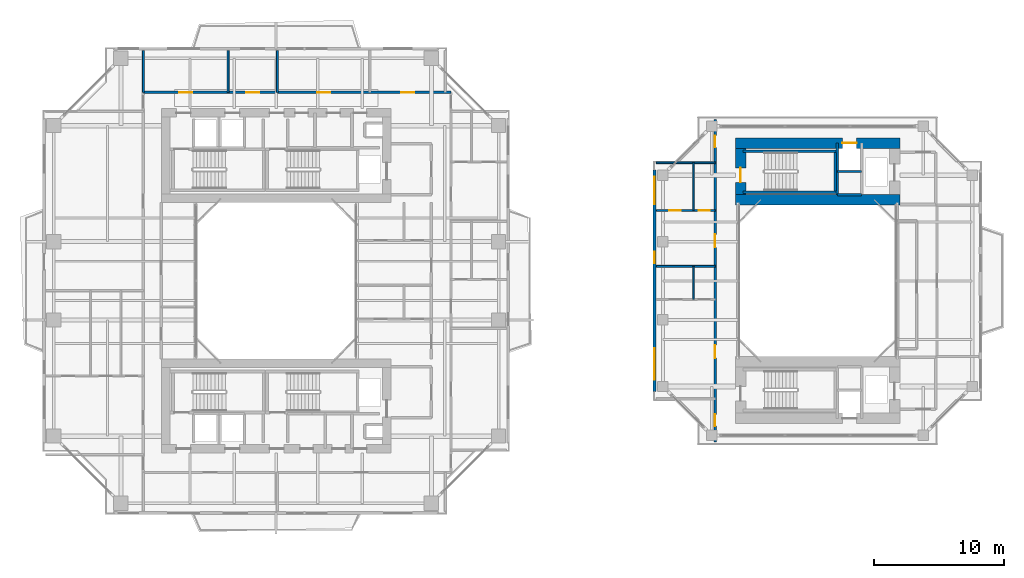
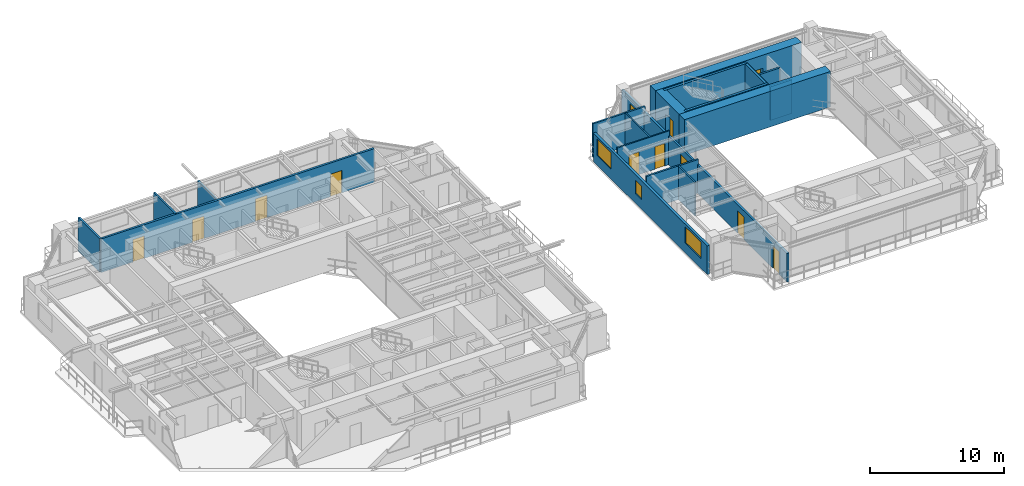
# One storey, part 17 of 23: 20 walls, 12 doors, 3 windows, 15 openings.
"""IFC4 building model written with IfcOpenShell, lengths in metres."""

from ifc_helpers import new_model, si_unit, direction, frame, frame_2d, origin, place, context, subcontext, project, spatial, rectangle, extrude, source, transform, mapped, material, layer, layer_set, type_object, element, fill, save


model = new_model("IFC4")

# Units and contexts
model_context = context("Model", 3, precision=1e-05, world=origin(), true_north=direction((0.0, 1.0)))
body_context = subcontext(model_context, "Body", "Model", "MODEL_VIEW")
ifc_project = project(units=[si_unit("LENGTHUNIT", "METRE"), si_unit("AREAUNIT", "SQUARE_METRE"), si_unit("VOLUMEUNIT", "CUBIC_METRE"), si_unit("PLANEANGLEUNIT", "RADIAN"), si_unit("MASSUNIT", "GRAM", prefix="KILO"), si_unit("THERMODYNAMICTEMPERATUREUNIT", "KELVIN"), si_unit("POWERUNIT", "WATT")], contexts=[model_context])

# Site, building, storey
site_placement = place(None, origin())
site = spatial("IfcSite", under=ifc_project, at=site_placement, CompositionType="ELEMENT")
building_placement = place(site_placement, origin())
building = spatial("IfcBuilding", under=site, at=building_placement, Name="Qiaomeng Ring Towers", CompositionType="ELEMENT")
storey_placement = place(building_placement, frame((0.0, 0.0, 100.25)))
storey = spatial("IfcBuildingStorey", under=building, at=storey_placement, Name="L28", CompositionType="ELEMENT", Elevation=100.25)

# Wall, openings, windows
ifc_material_1 = material(Name="Precast concrete C40", Category="concrete")
ifc_layer_1 = layer(ifc_material_1, 0.219970703125, Name="Precast concrete C40")
ifc_layer_set_1 = layer_set([ifc_layer_1], Name="Precast concrete C40")
wall_type_1 = type_object("IfcWallType", Name="ARC-WL-EW2", PredefinedType="STANDARD", material=ifc_layer_set_1)
wall_1_placement = place(storey_placement, frame((48.010009765625, 14.5, 0.0), z_axis=(0.0, 0.0, 1.0), x_axis=(0.0, 1.0, 0.0)))
wall_1 = element("IfcWall", 1, at=wall_1_placement, inside=storey, type_object=wall_type_1, Name="L28 Companion West Wall", PredefinedType="STANDARD", context=body_context, shape_type="SweptSolid", body=[
    extrude(rectangle(XDim=17.0, YDim=0.219970703125, at=frame_2d((8.5, 0.0))), origin(), (0.0, 0.0, 1.0), 2.610107421875),
])
opening_1_placement = place(wall_1_placement, frame((0.925048828125, 0.0, 0.89990234375)))
opening_1 = element("IfcOpeningElement", 2, at=opening_1_placement, cuts=wall_1, Name="Opening WN6", PredefinedType="OPENING", context=body_context, shape_type="SweptSolid", body=[
    extrude(rectangle(XDim=2.39990234375, YDim=1.47998046875, at=frame_2d((1.199951171875, 0.739990234375))), frame((0.0, 0.119873046875, 0.0), z_axis=(0.0, -1.0, 0.0), x_axis=(1.0, 0.0, 0.0)), (0.0, 0.0, 1.0), 0.239990234375),
])
opening_2_placement = place(wall_1_placement, frame((14.3798828125, 0.0, 0.89990234375)))
opening_2 = element("IfcOpeningElement", 3, at=opening_2_placement, cuts=wall_1, Name="Opening WN4", PredefinedType="OPENING", context=body_context, shape_type="SweptSolid", body=[
    extrude(rectangle(XDim=2.10009765625, YDim=1.5, at=frame_2d((1.050048828125, 0.75))), frame((0.0, 0.119873046875, 0.0), z_axis=(0.0, -1.0, 0.0), x_axis=(1.0, 0.0, 0.0)), (0.0, 0.0, 1.0), 0.239990234375),
])
opening_3_placement = place(wall_1_placement, frame((9.8349609375, 0.0, 0.89990234375)))
opening_3 = element("IfcOpeningElement", 4, at=opening_3_placement, cuts=wall_1, Name="Opening WN5", PredefinedType="OPENING", context=body_context, shape_type="SweptSolid", body=[
    extrude(rectangle(XDim=0.89990234375, YDim=1.199951171875, at=frame_2d((0.449951171875, 0.60009765625))), frame((0.0, 0.119873046875, 0.0), z_axis=(0.0, -1.0, 0.0), x_axis=(1.0, 0.0, 0.0)), (0.0, 0.0, 1.0), 0.239990234375),
])
ifc_material_2 = material(Name="Low-E dark-grey laminated double glazing", Category="glass")
window_type_1 = type_object("IfcWindowType", Name="ARC-WN-4", PartitioningType="TRIPLE_PANEL_VERTICAL", PredefinedType="WINDOW", material=ifc_material_2)
shared_shape_1 = source(origin(), body_context, "Body", "SweptSolid", [
    extrude(rectangle(XDim=2.10009765625, YDim=1.5, at=frame_2d((1.050048828125, 0.75))), frame((0.0, 0.030029296875, 0.0), z_axis=(0.0, -1.0, 0.0), x_axis=(1.0, 0.0, 0.0)), (0.0, 0.0, 1.0), 0.06005859375),
])
window_1_placement = place(opening_2_placement, origin())
window_1 = element("IfcWindow", 5, at=window_1_placement, inside=storey, type_object=window_type_1, Name="L28 Exterior Window WN4", OverallHeight=1.5, OverallWidth=2.10009765625, PartitioningType="TRIPLE_PANEL_VERTICAL", PredefinedType="WINDOW", context=body_context, shape_type="MappedRepresentation", body=[
    mapped(shared_shape_1, transform((0.0, 0.0, 0.0), x_axis=(1.0, 0.0, 0.0), y_axis=(0.0, 1.0, 0.0), z_axis=(0.0, 0.0, 1.0), scale=1.0)),
])
fill(opening_2, window_1)
window_type_2 = type_object("IfcWindowType", Name="ARC-WN-6", PartitioningType="TRIPLE_PANEL_VERTICAL", PredefinedType="WINDOW", material=ifc_material_2)
shared_shape_2 = source(origin(), body_context, "Body", "SweptSolid", [
    extrude(rectangle(XDim=2.39990234375, YDim=1.47998046875, at=frame_2d((1.199951171875, 0.739990234375))), frame((0.0, 0.030029296875, 0.0), z_axis=(0.0, -1.0, 0.0), x_axis=(1.0, 0.0, 0.0)), (0.0, 0.0, 1.0), 0.06005859375),
])
window_2_placement = place(opening_1_placement, origin())
window_2 = element("IfcWindow", 6, at=window_2_placement, inside=storey, type_object=window_type_2, Name="L28 Exterior Window WN6", OverallHeight=1.47998046875, OverallWidth=2.39990234375, PartitioningType="TRIPLE_PANEL_VERTICAL", PredefinedType="WINDOW", context=body_context, shape_type="MappedRepresentation", body=[
    mapped(shared_shape_2, transform((0.0, 0.0, 0.0), x_axis=(1.0, 0.0, 0.0), y_axis=(0.0, 1.0, 0.0), z_axis=(0.0, 0.0, 1.0), scale=1.0)),
])
fill(opening_1, window_2)
window_type_3 = type_object("IfcWindowType", Name="ARC-WN-5", PartitioningType="SINGLE_PANEL", PredefinedType="WINDOW", material=ifc_material_2)
shared_shape_3 = source(origin(), body_context, "Body", "SweptSolid", [
    extrude(rectangle(XDim=0.89990234375, YDim=1.199951171875, at=frame_2d((0.449951171875, 0.60009765625))), frame((0.0, 0.030029296875, 0.0), z_axis=(0.0, -1.0, 0.0), x_axis=(1.0, 0.0, 0.0)), (0.0, 0.0, 1.0), 0.06005859375),
])
window_3_placement = place(opening_3_placement, origin())
window_3 = element("IfcWindow", 7, at=window_3_placement, inside=storey, type_object=window_type_3, Name="L28 Exterior Window WN5", OverallHeight=1.199951171875, OverallWidth=0.89990234375, PartitioningType="SINGLE_PANEL", PredefinedType="WINDOW", context=body_context, shape_type="MappedRepresentation", body=[
    mapped(shared_shape_3, transform((0.0, 0.0, 0.0), x_axis=(1.0, 0.0, 0.0), y_axis=(0.0, 1.0, 0.0), z_axis=(0.0, 0.0, 1.0), scale=1.0)),
])
fill(opening_3, window_3)

# Wall, openings, doors
ifc_material_3 = material(Name="Autoclaved aerated concrete block", Category="concrete")
ifc_layer_2 = layer(ifc_material_3, 0.179931640625, Name="Autoclaved aerated concrete block")
ifc_layer_set_2 = layer_set([ifc_layer_2], Name="Autoclaved aerated concrete block")
wall_type_2 = type_object("IfcWallType", Name="ARC-WL-PW2", PredefinedType="PARTITIONING", material=ifc_layer_set_2)
wall_2_placement = place(storey_placement, frame((8.820068359375, 37.43994140625, 0.0), z_axis=(0.0, 0.0, 1.0), x_axis=(1.0, 0.0, 0.0)))
wall_2 = element("IfcWall", 8, at=wall_2_placement, inside=storey, type_object=wall_type_2, Name="L28 Interior Wall PW2", PredefinedType="PARTITIONING", context=body_context, shape_type="SweptSolid", body=[
    extrude(rectangle(XDim=23.579833984375, YDim=0.179931640625, at=frame_2d((11.7900390625, 0.0))), origin(), (0.0, 0.0, 1.0), 3.070068359375),
])
opening_4_placement = place(wall_2_placement, frame((2.75, 0.0, 0.0)))
opening_4 = element("IfcOpeningElement", 9, at=opening_4_placement, cuts=wall_2, Name="Opening FD4", PredefinedType="OPENING", context=body_context, shape_type="SweptSolid", body=[
    extrude(rectangle(XDim=1.0, YDim=2.050048828125, at=frame_2d((0.5, 1.02490234375))), frame((0.0, 0.099853515625, 0.0), z_axis=(0.0, -1.0, 0.0), x_axis=(1.0, 0.0, 0.0)), (0.0, 0.0, 1.0), 0.199951171875),
])
opening_5_placement = place(wall_2_placement, frame((7.889892578125, 0.0, 0.0)))
opening_5 = element("IfcOpeningElement", 10, at=opening_5_placement, cuts=wall_2, Name="Opening FD4", PredefinedType="OPENING", context=body_context, shape_type="SweptSolid", body=[
    extrude(rectangle(XDim=1.0, YDim=2.050048828125, at=frame_2d((0.5, 1.02490234375))), frame((0.0, 0.099853515625, 0.0), z_axis=(0.0, -1.0, 0.0), x_axis=(1.0, 0.0, 0.0)), (0.0, 0.0, 1.0), 0.199951171875),
])
opening_6_placement = place(wall_2_placement, frame((13.324951171875, 0.0, 0.0)))
opening_6 = element("IfcOpeningElement", 11, at=opening_6_placement, cuts=wall_2, Name="Opening FD4", PredefinedType="OPENING", context=body_context, shape_type="SweptSolid", body=[
    extrude(rectangle(XDim=1.0, YDim=2.050048828125, at=frame_2d((0.5, 1.02490234375))), frame((0.0, 0.099853515625, 0.0), z_axis=(0.0, -1.0, 0.0), x_axis=(1.0, 0.0, 0.0)), (0.0, 0.0, 1.0), 0.199951171875),
])
opening_7_placement = place(wall_2_placement, frame((19.764892578125, 0.0, 0.0)))
opening_7 = element("IfcOpeningElement", 12, at=opening_7_placement, cuts=wall_2, Name="Opening FD4", PredefinedType="OPENING", context=body_context, shape_type="SweptSolid", body=[
    extrude(rectangle(XDim=1.0, YDim=2.050048828125, at=frame_2d((0.5, 1.02490234375))), frame((0.0, 0.099853515625, 0.0), z_axis=(0.0, -1.0, 0.0), x_axis=(1.0, 0.0, 0.0)), (0.0, 0.0, 1.0), 0.199951171875),
])
ifc_material_4 = material(Name="Engineered fire-rated oak timber", Category="wood")
door_type_1 = type_object("IfcDoorType", Name="ARC-DR-FD4", OperationType="NOTDEFINED", PredefinedType="DOOR", material=ifc_material_4)
shared_shape_4 = source(origin(), body_context, "Body", "SweptSolid", [
    extrude(rectangle(XDim=1.0, YDim=2.050048828125, at=frame_2d((0.5, 1.02490234375))), frame((0.0, 0.02490234375, 0.0), z_axis=(0.0, -1.0, 0.0), x_axis=(1.0, 0.0, 0.0)), (0.0, 0.0, 1.0), 0.050048828125),
])
door_1_placement = place(opening_4_placement, origin())
door_1 = element("IfcDoor", 13, at=door_1_placement, inside=storey, type_object=door_type_1, Name="L28 Door FD4", OperationType="SINGLE_SWING_LEFT", OverallHeight=2.050048828125, OverallWidth=1.0, PredefinedType="DOOR", context=body_context, shape_type="MappedRepresentation", body=[
    mapped(shared_shape_4, transform((0.0, 0.0, 0.0), x_axis=(1.0, 0.0, 0.0), y_axis=(0.0, 1.0, 0.0), z_axis=(0.0, 0.0, 1.0), scale=1.0)),
])
fill(opening_4, door_1)
door_2_placement = place(opening_5_placement, origin())
door_2 = element("IfcDoor", 14, at=door_2_placement, inside=storey, type_object=door_type_1, Name="L28 Door FD4", OperationType="SINGLE_SWING_RIGHT", OverallHeight=2.050048828125, OverallWidth=1.0, PredefinedType="DOOR", context=body_context, shape_type="MappedRepresentation", body=[
    mapped(shared_shape_4, transform((0.0, 0.0, 0.0), x_axis=(1.0, 0.0, 0.0), y_axis=(0.0, 1.0, 0.0), z_axis=(0.0, 0.0, 1.0), scale=1.0)),
])
fill(opening_5, door_2)
door_3_placement = place(opening_6_placement, origin())
door_3 = element("IfcDoor", 15, at=door_3_placement, inside=storey, type_object=door_type_1, Name="L28 Door FD4", OperationType="SINGLE_SWING_LEFT", OverallHeight=2.050048828125, OverallWidth=1.0, PredefinedType="DOOR", context=body_context, shape_type="MappedRepresentation", body=[
    mapped(shared_shape_4, transform((0.0, 0.0, 0.0), x_axis=(1.0, 0.0, 0.0), y_axis=(0.0, 1.0, 0.0), z_axis=(0.0, 0.0, 1.0), scale=1.0)),
])
fill(opening_6, door_3)
door_4_placement = place(opening_7_placement, origin())
door_4 = element("IfcDoor", 16, at=door_4_placement, inside=storey, type_object=door_type_1, Name="L28 Door FD4", OperationType="SINGLE_SWING_RIGHT", OverallHeight=2.050048828125, OverallWidth=1.0, PredefinedType="DOOR", context=body_context, shape_type="MappedRepresentation", body=[
    mapped(shared_shape_4, transform((0.0, 0.0, 0.0), x_axis=(1.0, 0.0, 0.0), y_axis=(0.0, 1.0, 0.0), z_axis=(0.0, 0.0, 1.0), scale=1.0)),
])
fill(opening_7, door_4)

wall_3_placement = place(storey_placement, frame((52.64990234375, 10.64990234375, 0.0), z_axis=(0.0, 0.0, 1.0), x_axis=(0.0, 1.0, 0.0)))
wall_3 = element("IfcWall", 17, at=wall_3_placement, inside=storey, type_object=wall_type_2, Name="L28 Interior Wall PW2", PredefinedType="PARTITIONING", context=body_context, shape_type="SweptSolid", body=[
    extrude(rectangle(XDim=24.7001953125, YDim=0.179931640625, at=frame_2d((12.35009765625, 0.0))), origin(), (0.0, 0.0, 1.0), 2.614990234375),
])
opening_8_placement = place(wall_3_placement, frame((22.580078125, 0.0, 0.0)))
opening_8 = element("IfcOpeningElement", 18, at=opening_8_placement, cuts=wall_3, Name="Opening ID1", PredefinedType="OPENING", context=body_context, shape_type="SweptSolid", body=[
    extrude(rectangle(XDim=0.89990234375, YDim=2.050048828125, at=frame_2d((0.449951171875, 1.02490234375))), frame((0.0, 0.099853515625, 0.0), z_axis=(0.0, -1.0, 0.0), x_axis=(1.0, 0.0, 0.0)), (0.0, 0.0, 1.0), 0.199951171875),
])
opening_9_placement = place(wall_3_placement, frame((1.219970703125, 0.0, 0.0)))
opening_9 = element("IfcOpeningElement", 19, at=opening_9_placement, cuts=wall_3, Name="Opening ID1", PredefinedType="OPENING", context=body_context, shape_type="SweptSolid", body=[
    extrude(rectangle(XDim=0.89990234375, YDim=2.050048828125, at=frame_2d((0.449951171875, 1.02490234375))), frame((0.0, 0.099853515625, 0.0), z_axis=(0.0, -1.0, 0.0), x_axis=(1.0, 0.0, 0.0)), (0.0, 0.0, 1.0), 0.199951171875),
])
opening_10_placement = place(wall_3_placement, frame((6.425048828125, 0.0, 0.0)))
opening_10 = element("IfcOpeningElement", 20, at=opening_10_placement, cuts=wall_3, Name="Opening FD4", PredefinedType="OPENING", context=body_context, shape_type="SweptSolid", body=[
    extrude(rectangle(XDim=1.0, YDim=2.050048828125, at=frame_2d((0.5, 1.02490234375))), frame((0.0, 0.099853515625, 0.0), z_axis=(0.0, -1.0, 0.0), x_axis=(1.0, 0.0, 0.0)), (0.0, 0.0, 1.0), 0.199951171875),
])
opening_11_placement = place(wall_3_placement, frame((14.905029296875, 0.0, 0.0)))
opening_11 = element("IfcOpeningElement", 21, at=opening_11_placement, cuts=wall_3, Name="Opening FD4", PredefinedType="OPENING", context=body_context, shape_type="SweptSolid", body=[
    extrude(rectangle(XDim=1.0, YDim=2.050048828125, at=frame_2d((0.5, 1.02490234375))), frame((0.0, 0.099853515625, 0.0), z_axis=(0.0, -1.0, 0.0), x_axis=(1.0, 0.0, 0.0)), (0.0, 0.0, 1.0), 0.199951171875),
])
door_5_placement = place(opening_10_placement, origin())
door_5 = element("IfcDoor", 22, at=door_5_placement, inside=storey, type_object=door_type_1, Name="L28 Door FD4", OperationType="SINGLE_SWING_LEFT", OverallHeight=2.050048828125, OverallWidth=1.0, PredefinedType="DOOR", context=body_context, shape_type="MappedRepresentation", body=[
    mapped(shared_shape_4, transform((0.0, 0.0, 0.0), x_axis=(1.0, 0.0, 0.0), y_axis=(0.0, 1.0, 0.0), z_axis=(0.0, 0.0, 1.0), scale=1.0)),
])
fill(opening_10, door_5)
door_6_placement = place(opening_11_placement, origin())
door_6 = element("IfcDoor", 23, at=door_6_placement, inside=storey, type_object=door_type_1, Name="L28 Door FD4", OperationType="SINGLE_SWING_RIGHT", OverallHeight=2.050048828125, OverallWidth=1.0, PredefinedType="DOOR", context=body_context, shape_type="MappedRepresentation", body=[
    mapped(shared_shape_4, transform((0.0, 0.0, 0.0), x_axis=(1.0, 0.0, 0.0), y_axis=(0.0, 1.0, 0.0), z_axis=(0.0, 0.0, 1.0), scale=1.0)),
])
fill(opening_11, door_6)
ifc_material_5 = material(Name="Engineered oak timber", Category="wood")
door_type_2 = type_object("IfcDoorType", Name="ARC-DR-ID1", OperationType="NOTDEFINED", PredefinedType="DOOR", material=ifc_material_5)
shared_shape_5 = source(origin(), body_context, "Body", "SweptSolid", [
    extrude(rectangle(XDim=0.89990234375, YDim=2.050048828125, at=frame_2d((0.449951171875, 1.02490234375))), frame((0.0, 0.02490234375, 0.0), z_axis=(0.0, -1.0, 0.0), x_axis=(1.0, 0.0, 0.0)), (0.0, 0.0, 1.0), 0.050048828125),
])
door_7_placement = place(opening_8_placement, origin())
door_7 = element("IfcDoor", 24, at=door_7_placement, inside=storey, type_object=door_type_2, Name="L28 Door ID1", OperationType="SINGLE_SWING_LEFT", OverallHeight=2.050048828125, OverallWidth=0.89990234375, PredefinedType="DOOR", context=body_context, shape_type="MappedRepresentation", body=[
    mapped(shared_shape_5, transform((0.0, 0.0, 0.0), x_axis=(1.0, 0.0, 0.0), y_axis=(0.0, 1.0, 0.0), z_axis=(0.0, 0.0, 1.0), scale=1.0)),
])
fill(opening_8, door_7)
door_8_placement = place(opening_9_placement, origin())
door_8 = element("IfcDoor", 25, at=door_8_placement, inside=storey, type_object=door_type_2, Name="L28 Door ID1", OperationType="SINGLE_SWING_RIGHT", OverallHeight=2.050048828125, OverallWidth=0.89990234375, PredefinedType="DOOR", context=body_context, shape_type="MappedRepresentation", body=[
    mapped(shared_shape_5, transform((0.0, 0.0, 0.0), x_axis=(1.0, 0.0, 0.0), y_axis=(0.0, 1.0, 0.0), z_axis=(0.0, 0.0, 1.0), scale=1.0)),
])
fill(opening_9, door_8)

# Walls
ifc_material_6 = material(Name="Gypsum fireboard steel-stud partition", Category="steel")
ifc_layer_3 = layer(ifc_material_6, 0.14990234375, Name="Gypsum fireboard steel-stud partition")
ifc_layer_set_3 = layer_set([ifc_layer_3], Name="Gypsum fireboard steel-stud partition")
wall_type_3 = type_object("IfcWallType", Name="ARC-WL-PW3", PredefinedType="PARTITIONING", material=ifc_layer_set_3)
wall_4_placement = place(storey_placement, frame((15.320068359375, 37.43994140625, 0.0), z_axis=(0.0, 0.0, 1.0), x_axis=(0.0, 1.0, 0.0)))
element("IfcWall", 26, at=wall_4_placement, inside=storey, type_object=wall_type_3, Name="L28 Interior Wall PW3", PredefinedType="PARTITIONING", context=body_context, shape_type="SweptSolid", body=[
    extrude(rectangle(XDim=3.2099609375, YDim=0.14990234375, at=frame_2d((1.60498046875, 0.0))), origin(), (0.0, 0.0, 1.0), 3.070068359375),
])
wall_5_placement = place(storey_placement, frame((19.10009765625, 37.43994140625, 0.0), z_axis=(0.0, 0.0, 1.0), x_axis=(0.0, 1.0, 0.0)))
element("IfcWall", 27, at=wall_5_placement, inside=storey, type_object=wall_type_3, Name="L28 Interior Wall PW3", PredefinedType="PARTITIONING", context=body_context, shape_type="SweptSolid", body=[
    extrude(rectangle(XDim=3.2099609375, YDim=0.14990234375, at=frame_2d((1.60498046875, 0.0))), origin(), (0.0, 0.0, 1.0), 2.821044921875),
])
wall_6_placement = place(storey_placement, frame((8.820068359375, 37.43994140625, 0.0), z_axis=(0.0, 0.0, 1.0), x_axis=(0.0, 1.0, 0.0)))
element("IfcWall", 28, at=wall_6_placement, inside=storey, type_object=wall_type_3, Name="L28 Interior Wall PW3", PredefinedType="PARTITIONING", context=body_context, shape_type="SweptSolid", body=[
    extrude(rectangle(XDim=3.2099609375, YDim=0.14990234375, at=frame_2d((1.60498046875, 0.0))), origin(), (0.0, 0.0, 1.0), 3.070068359375),
])
for number, where, z_axis, x_axis, name in (
    (29, (48.14990234375, 32.050048828125, 0.0), (0.0, 0.0, 1.0), (1.0, 0.0, 0.0), "L28 Interior Wall PW3"),
    (30, (48.14990234375, 24.10009765625, 0.0), (0.0, 0.0, 1.0), (1.0, 0.0, 0.0), "L28 Interior Wall PW3"),
):
    element("IfcWall", number, at=place(storey_placement, frame(where, z_axis=z_axis, x_axis=x_axis)), inside=storey, type_object=wall_type_3, Name=name, PredefinedType="PARTITIONING", context=body_context, shape_type="SweptSolid", body=[
        extrude(rectangle(XDim=4.5, YDim=0.14990234375, at=frame_2d((2.25, 0.0))), origin(), (0.0, 0.0, 1.0), 3.070068359375),
    ])
ifc_material_7 = material(Name="Moisture-resistant gypsum steel-stud partition", Category="steel")
ifc_layer_4 = layer(ifc_material_7, 0.1201171875, Name="Moisture-resistant gypsum steel-stud partition")
ifc_layer_set_4 = layer_set([ifc_layer_4], Name="Moisture-resistant gypsum steel-stud partition")
wall_type_4 = type_object("IfcWallType", Name="ARC-WL-PW4", PredefinedType="PLUMBINGWALL", material=ifc_layer_set_4)
wall_7_placement = place(storey_placement, frame((50.97998046875, 21.580078125, 0.0), z_axis=(0.0, 0.0, 1.0), x_axis=(0.0, 1.0, 0.0)))
element("IfcWall", 31, at=wall_7_placement, inside=storey, type_object=wall_type_4, Name="L28 Interior Wall PW4", PredefinedType="PLUMBINGWALL", context=body_context, shape_type="SweptSolid", body=[
    extrude(rectangle(XDim=2.52001953125, YDim=0.1201171875, at=frame_2d((1.260009765625, 0.0))), origin(), (0.0, 0.0, 1.0), 3.070068359375),
])

# Wall, openings, doors
wall_8_placement = place(storey_placement, frame((48.14990234375, 28.389892578125, 0.0), z_axis=(0.0, 0.0, 1.0), x_axis=(1.0, 0.0, 0.0)))
wall_8 = element("IfcWall", 32, at=wall_8_placement, inside=storey, type_object=wall_type_4, Name="L28 Interior Wall PW4", PredefinedType="PLUMBINGWALL", context=body_context, shape_type="SweptSolid", body=[
    extrude(rectangle(XDim=4.5, YDim=0.1201171875, at=frame_2d((2.25, 0.0))), origin(), (0.0, 0.0, 1.0), 3.070068359375),
])
opening_12_placement = place(wall_8_placement, frame((0.97509765625, 0.0, 0.0)))
opening_12 = element("IfcOpeningElement", 33, at=opening_12_placement, cuts=wall_8, Name="Opening ID1", PredefinedType="OPENING", context=body_context, shape_type="SweptSolid", body=[
    extrude(rectangle(XDim=0.89990234375, YDim=2.050048828125, at=frame_2d((0.449951171875, 1.02490234375))), frame((0.0, 0.070068359375, 0.0), z_axis=(0.0, -1.0, 0.0), x_axis=(1.0, 0.0, 0.0)), (0.0, 0.0, 1.0), 0.14013671875),
])
opening_13_placement = place(wall_8_placement, frame((3.22998046875, 0.0, 0.0)))
opening_13 = element("IfcOpeningElement", 34, at=opening_13_placement, cuts=wall_8, Name="Opening ID2", PredefinedType="OPENING", context=body_context, shape_type="SweptSolid", body=[
    extrude(rectangle(XDim=0.85009765625, YDim=2.050048828125, at=frame_2d((0.425048828125, 1.02490234375))), frame((0.0, 0.070068359375, 0.0), z_axis=(0.0, -1.0, 0.0), x_axis=(1.0, 0.0, 0.0)), (0.0, 0.0, 1.0), 0.14013671875),
])
ifc_material_8 = material(Name="Moisture-resistant engineered timber", Category="wood")
door_type_3 = type_object("IfcDoorType", Name="ARC-DR-ID2", OperationType="NOTDEFINED", PredefinedType="DOOR", material=ifc_material_8)
shared_shape_6 = source(origin(), body_context, "Body", "SweptSolid", [
    extrude(rectangle(XDim=0.85009765625, YDim=2.050048828125, at=frame_2d((0.425048828125, 1.02490234375))), frame((0.0, 0.02490234375, 0.0), z_axis=(0.0, -1.0, 0.0), x_axis=(1.0, 0.0, 0.0)), (0.0, 0.0, 1.0), 0.050048828125),
])
door_9_placement = place(opening_13_placement, origin())
door_9 = element("IfcDoor", 35, at=door_9_placement, inside=storey, type_object=door_type_3, Name="L28 Door ID2", OperationType="SINGLE_SWING_RIGHT", OverallHeight=2.050048828125, OverallWidth=0.85009765625, PredefinedType="DOOR", context=body_context, shape_type="MappedRepresentation", body=[
    mapped(shared_shape_6, transform((0.0, 0.0, 0.0), x_axis=(1.0, 0.0, 0.0), y_axis=(0.0, 1.0, 0.0), z_axis=(0.0, 0.0, 1.0), scale=1.0)),
])
fill(opening_13, door_9)
door_10_placement = place(opening_12_placement, origin())
door_10 = element("IfcDoor", 36, at=door_10_placement, inside=storey, type_object=door_type_2, Name="L28 Door ID1", OperationType="SINGLE_SWING_LEFT", OverallHeight=2.050048828125, OverallWidth=0.89990234375, PredefinedType="DOOR", context=body_context, shape_type="MappedRepresentation", body=[
    mapped(shared_shape_5, transform((0.0, 0.0, 0.0), x_axis=(1.0, 0.0, 0.0), y_axis=(0.0, 1.0, 0.0), z_axis=(0.0, 0.0, 1.0), scale=1.0)),
])
fill(opening_12, door_10)

# Walls
wall_9_placement = place(storey_placement, frame((50.97998046875, 28.389892578125, 0.0), z_axis=(0.0, 0.0, 1.0), x_axis=(0.0, 1.0, 0.0)))
element("IfcWall", 37, at=wall_9_placement, inside=storey, type_object=wall_type_4, Name="L28 Interior Wall PW4", PredefinedType="PLUMBINGWALL", context=body_context, shape_type="SweptSolid", body=[
    extrude(rectangle(XDim=3.66015625, YDim=0.1201171875, at=frame_2d((1.830078125, 0.0))), origin(), (0.0, 0.0, 1.0), 3.070068359375),
])
ifc_material_9 = material(Name="Concrete C40", Category="concrete")
ifc_layer_5 = layer(ifc_material_9, 0.199951171875, Name="Concrete C40")
ifc_layer_set_5 = layer_set([ifc_layer_5], Name="Concrete C40")
wall_type_5 = type_object("IfcWallType", Name="STR-WL-STSHAFT", PredefinedType="SHEAR", material=ifc_layer_set_5)
wall_10_placement = place(storey_placement, frame((62.02001953125, 29.60009765625, 0.0), z_axis=(0.0, 0.0, 1.0), x_axis=(0.0, 1.0, 0.0)))
element("IfcWall", 38, at=wall_10_placement, inside=storey, type_object=wall_type_5, Name="L28 Companion Lift Shaft West Wall N", PredefinedType="SHEAR", context=body_context, shape_type="SweptSolid", body=[
    extrude(rectangle(XDim=3.949951171875, YDim=0.179931640625, at=frame_2d((1.97509765625, 0.0))), origin(), (0.0, 0.0, 1.0), 3.070068359375),
])
for number, where, z_axis, x_axis, name in (
    (39, (62.02001953125, 31.3798828125, 0.0), (0.0, 0.0, 1.0), (1.0, 0.0, 0.0), "L28 Companion Lift Shaft Divider Wall N"),
    (40, (62.02001953125, 29.60009765625, 0.0), (0.0, 0.0, 1.0), (1.0, 0.0, 0.0), "L28 Companion Riser Shaft Back Wall N"),
):
    element("IfcWall", number, at=place(storey_placement, frame(where, z_axis=z_axis, x_axis=x_axis)), inside=storey, type_object=wall_type_5, Name=name, PredefinedType="SHEAR", context=body_context, shape_type="SweptSolid", body=[
        extrude(rectangle(XDim=1.85986328125, YDim=0.179931640625, at=frame_2d((0.929931640625, 0.0))), origin(), (0.0, 0.0, 1.0), 3.070068359375),
    ])
for number, where, z_axis, x_axis, name in (
    (41, (54.800048828125, 29.800048828125, 0.0), (0.0, 0.0, 1.0), (1.0, 0.0, 0.0), "L28 Stair ST5 South Shaft Shear Wall"),
    (42, (54.800048828125, 32.93994140625, 0.0), (0.0, 0.0, 1.0), (1.0, 0.0, 0.0), "L28 Stair ST5 North Shaft Shear Wall"),
):
    element("IfcWall", number, at=place(storey_placement, frame(where, z_axis=z_axis, x_axis=x_axis)), inside=storey, type_object=wall_type_5, Name=name, PredefinedType="SHEAR", context=body_context, shape_type="SweptSolid", body=[
        extrude(rectangle(XDim=7.14990234375, YDim=0.199951171875, at=frame_2d((3.574951171875, 0.0))), origin(), (0.0, 0.0, 1.0), 3.25),
    ])
wall_11_placement = place(storey_placement, frame((61.85009765625, 29.89990234375, 0.0), z_axis=(0.0, 0.0, 1.0), x_axis=(0.0, 1.0, 0.0)))
element("IfcWall", 43, at=wall_11_placement, inside=storey, type_object=wall_type_5, Name="L28 Stair ST5 East Shaft Shear Wall", PredefinedType="SHEAR", context=body_context, shape_type="SweptSolid", body=[
    extrude(rectangle(XDim=2.940185546875, YDim=0.199951171875, at=frame_2d((1.47021484375, 0.0))), origin(), (0.0, 0.0, 1.0), 3.25),
])
ifc_material_10 = material(Name="Concrete C60", Category="concrete")
ifc_layer_6 = layer(ifc_material_10, 0.800048828125, Name="Concrete C60")
ifc_layer_set_6 = layer_set([ifc_layer_6], Name="Concrete C60")
wall_type_6 = type_object("IfcWallType", Name="STR-WL-SW1", PredefinedType="SHEAR", material=ifc_layer_set_6)
wall_12_placement = place(storey_placement, frame((54.199951171875, 29.199951171875, 0.0), z_axis=(0.0, 0.0, 1.0), x_axis=(1.0, 0.0, 0.0)))
element("IfcWall", 44, at=wall_12_placement, inside=storey, type_object=wall_type_6, Name="L28 T2NC south core shear wall", PredefinedType="SHEAR", context=body_context, shape_type="SweptSolid", body=[
    extrude(rectangle(XDim=12.60009765625, YDim=0.800048828125, at=frame_2d((6.300048828125, 0.0))), origin(), (0.0, 0.0, 1.0), 3.25),
])

# Wall, opening, door
wall_13_placement = place(storey_placement, frame((54.199951171875, 33.550048828125, 0.0), z_axis=(0.0, 0.0, 1.0), x_axis=(1.0, 0.0, 0.0)))
wall_13 = element("IfcWall", 45, at=wall_13_placement, inside=storey, type_object=wall_type_6, Name="L28 T2NC north core shear wall", PredefinedType="SHEAR", context=body_context, shape_type="SweptSolid", body=[
    extrude(rectangle(XDim=12.60009765625, YDim=0.800048828125, at=frame_2d((6.300048828125, 0.0))), origin(), (0.0, 0.0, 1.0), 3.25),
])
opening_14_placement = place(wall_13_placement, frame((8.199951171875, 0.0, 0.0)))
opening_14 = element("IfcOpeningElement", 46, at=opening_14_placement, cuts=wall_13, Name="Opening LD1", PredefinedType="OPENING", context=body_context, shape_type="SweptSolid", body=[
    extrude(rectangle(XDim=1.10009765625, YDim=2.050048828125, at=frame_2d((0.550048828125, 1.02490234375))), frame((0.0, 0.409912109375, 0.0), z_axis=(0.0, -1.0, 0.0), x_axis=(1.0, 0.0, 0.0)), (0.0, 0.0, 1.0), 0.820068359375),
])
ifc_material_11 = material(Name="Stainless steel 316", Category="steel")
door_type_4 = type_object("IfcDoorType", Name="ARC-DR-LD1", OperationType="NOTDEFINED", PredefinedType="DOOR", material=ifc_material_11)
shared_shape_7 = source(origin(), body_context, "Body", "SweptSolid", [
    extrude(rectangle(XDim=1.10009765625, YDim=2.050048828125, at=frame_2d((0.550048828125, 1.02490234375))), frame((0.0, 0.02490234375, 0.0), z_axis=(0.0, -1.0, 0.0), x_axis=(1.0, 0.0, 0.0)), (0.0, 0.0, 1.0), 0.050048828125),
])
door_11_placement = place(opening_14_placement, origin())
door_11 = element("IfcDoor", 47, at=door_11_placement, inside=storey, type_object=door_type_4, Name="L28 Companion Lift LP7 Landing Door", OperationType="SLIDING_TO_LEFT", OverallHeight=2.050048828125, OverallWidth=1.10009765625, PredefinedType="DOOR", context=body_context, shape_type="MappedRepresentation", body=[
    mapped(shared_shape_7, transform((0.0, 0.0, 0.0), x_axis=(1.0, 0.0, 0.0), y_axis=(0.0, 1.0, 0.0), z_axis=(0.0, 0.0, 1.0), scale=1.0)),
])
fill(opening_14, door_11)

wall_14_placement = place(storey_placement, frame((54.60009765625, 29.60009765625, 0.0), z_axis=(0.0, 0.0, 1.0), x_axis=(0.0, 1.0, 0.0)))
wall_14 = element("IfcWall", 48, at=wall_14_placement, inside=storey, type_object=wall_type_6, Name="L28 T2NC west core shear wall", PredefinedType="SHEAR", context=body_context, shape_type="SweptSolid", body=[
    extrude(rectangle(XDim=3.5498046875, YDim=0.800048828125, at=frame_2d((1.77490234375, 0.0))), origin(), (0.0, 0.0, 1.0), 3.25),
])
opening_15_placement = place(wall_14_placement, frame((0.949951171875, 0.0, 0.0)))
opening_15 = element("IfcOpeningElement", 49, at=opening_15_placement, cuts=wall_14, Name="Opening FD3", PredefinedType="OPENING", context=body_context, shape_type="SweptSolid", body=[
    extrude(rectangle(XDim=1.10009765625, YDim=2.050048828125, at=frame_2d((0.550048828125, 1.02490234375))), frame((0.0, 0.409912109375, 0.0), z_axis=(0.0, -1.0, 0.0), x_axis=(1.0, 0.0, 0.0)), (0.0, 0.0, 1.0), 0.820068359375),
])
ifc_material_12 = material(Name="Galvanised steel", Category="steel")
door_type_5 = type_object("IfcDoorType", Name="ARC-DR-FD3", OperationType="NOTDEFINED", PredefinedType="DOOR", material=ifc_material_12)
door_12_placement = place(opening_15_placement, origin())
door_12 = element("IfcDoor", 50, at=door_12_placement, inside=storey, type_object=door_type_5, Name="L28 Stair ST5 Exit Door", OperationType="SINGLE_SWING_RIGHT", OverallHeight=2.050048828125, OverallWidth=1.10009765625, PredefinedType="DOOR", context=body_context, shape_type="MappedRepresentation", body=[
    mapped(shared_shape_7, transform((0.0, 0.0, 0.0), x_axis=(1.0, 0.0, 0.0), y_axis=(0.0, 1.0, 0.0), z_axis=(0.0, 0.0, 1.0), scale=1.0)),
])
fill(opening_15, door_12)

save(model, "model.ifc")
